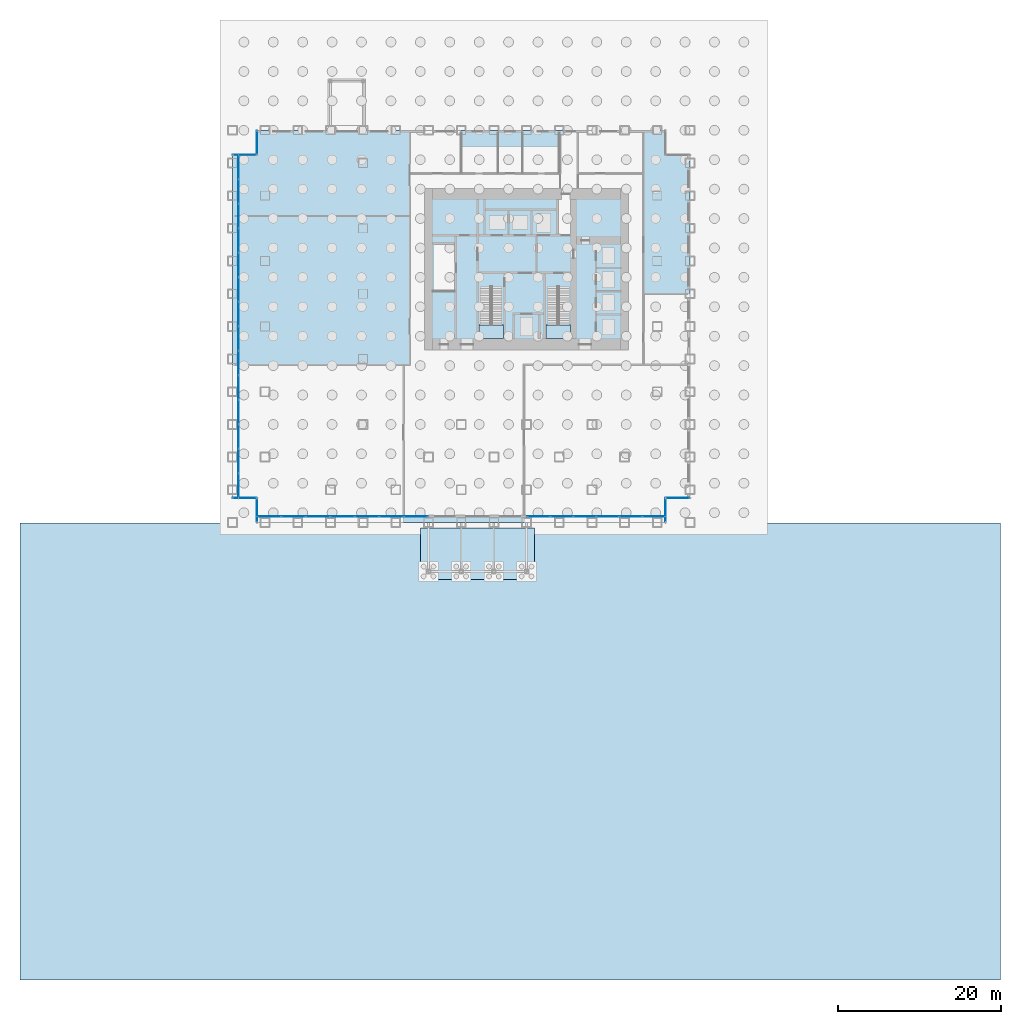
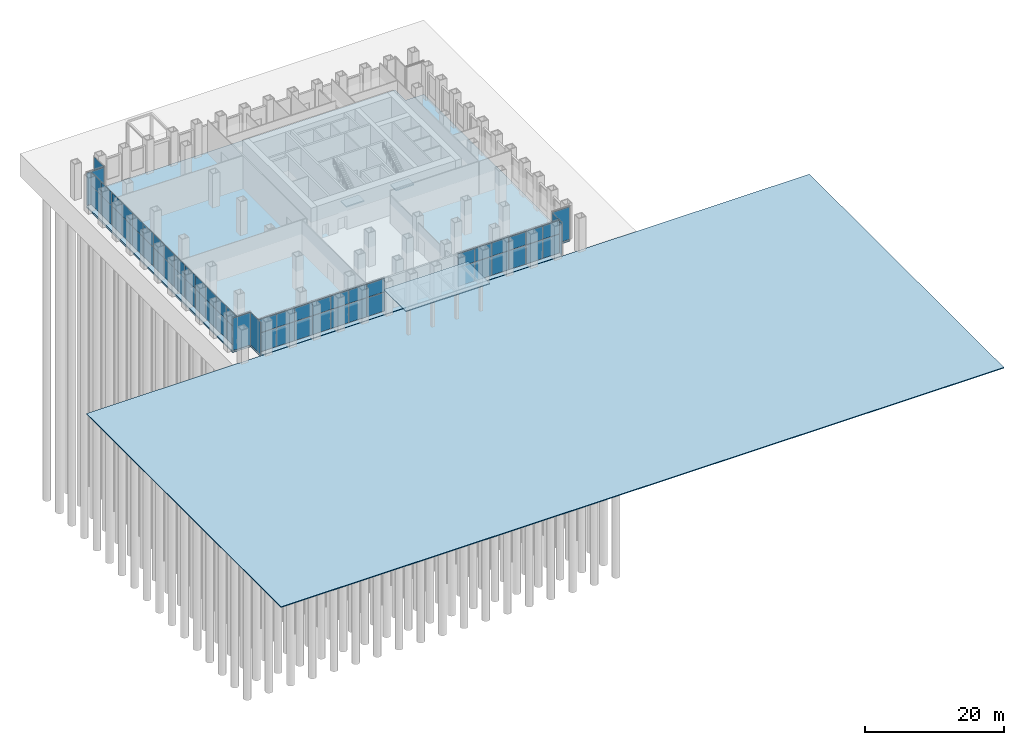
# One storey, part 11 of 17: 60 plates, 5 slabs, 11 elements without a shape of their own.
"""IFC4 building model written with IfcOpenShell, lengths in metres."""

from ifc_helpers import new_model, si_unit, direction, frame, origin, origin_2d, place, context, subcontext, project, spatial, polyline, rectangle, outline, extrude, material, layer, layer_set, type_object, element, aggregate, save


model = new_model("IFC4")

# Units and contexts
model_context = context("Model", 3, precision=1e-05, world=origin(), true_north=direction((0.0, 1.0)))
body_context = subcontext(model_context, "Body", "Model", "MODEL_VIEW")
ifc_project = project(units=[si_unit("LENGTHUNIT", "METRE"), si_unit("AREAUNIT", "SQUARE_METRE"), si_unit("VOLUMEUNIT", "CUBIC_METRE"), si_unit("PLANEANGLEUNIT", "RADIAN"), si_unit("MASSUNIT", "GRAM", prefix="KILO")], contexts=[model_context])

# Site, building, storey
site_placement = place(None, origin())
site = spatial("IfcSite", under=ifc_project, at=site_placement, CompositionType="ELEMENT")
building_placement = place(site_placement, origin())
building = spatial("IfcBuilding", under=site, at=building_placement, Name="Rimbunsela Tower", CompositionType="ELEMENT")
storey_placement = place(building_placement, origin())
storey = spatial("IfcBuildingStorey", under=building, at=storey_placement, Name="L00", CompositionType="ELEMENT", Elevation=0.0)

# Slab
ifc_material_1 = material(Name="Concrete fc' 35 MPa", Category="concrete")
ifc_layer_1 = layer(ifc_material_1, 0.14990234375)
ifc_layer_set_1 = layer_set([ifc_layer_1], Name="Canopy roof 150")
slab_type_1 = type_object("IfcSlabType", Name="Canopy roof 150", PredefinedType="ROOF", material=ifc_layer_set_1)
slab_1_placement = place(storey_placement, frame((0.0, 0.0, 4.85009765625)))
element("IfcSlab", 1, at=slab_1_placement, inside=storey, type_object=slab_type_1, Name="Entrance canopy", PredefinedType="ROOF", context=body_context, shape_type="SweptSolid", body=[
    extrude(outline(polyline([(17.0, -11.0), (31.0, -11.0), (31.0, -4.64990234375), (17.0, -4.64990234375), (17.0, -11.0)])), origin(), (0.0, 0.0, 1.0), 0.14990234375),
])

# Curtain wall, plate
ifc_material_2 = material(Name="Aluminium curtain wall", Category="aluminium")
curtain_wall_type_1 = type_object("IfcCurtainWallType", Name="Corner glazing", PredefinedType="USERDEFINED", material=ifc_material_2)
curtain_wall_1_placement = place(storey_placement, origin())
curtain_wall_1 = element("IfcCurtainWall", 2, at=curtain_wall_1_placement, inside=storey, type_object=curtain_wall_type_1, Name="Corner glazing L00", ObjectType="CORNER GLAZING", PredefinedType="USERDEFINED")
ifc_material_3 = material(Name="Clear double glazing", Category="glass")
ifc_layer_2 = layer(ifc_material_3, 0.028076171875)
ifc_layer_set_2 = layer_set([ifc_layer_2], Name="Glazed panel clear")
plate_type_1 = type_object("IfcPlateType", Name="Glazed panel clear", PredefinedType="CURTAIN_PANEL", material=ifc_layer_set_2)
plate_1_placement = place(storey_placement, frame((47.0, -2.5, 0.06005859375), z_axis=(0.0, 0.0, 1.0), x_axis=(0.0, 1.0, 0.0)))
plate_1 = element("IfcPlate", 3, at=plate_1_placement, type_object=plate_type_1, Name="CW5 panel 1.1", PredefinedType="CURTAIN_PANEL", context=body_context, shape_type="SweptSolid", body=[
    extrude(rectangle(XDim=2.8798828125, YDim=0.028076171875, at=origin_2d()), origin(), (0.0, 0.0, 1.0), 5.72998046875),
])
aggregate(curtain_wall_1, [plate_1])

curtain_wall_2_placement = place(storey_placement, origin())
curtain_wall_2 = element("IfcCurtainWall", 4, at=curtain_wall_2_placement, inside=storey, type_object=curtain_wall_type_1, Name="Corner glazing L00", ObjectType="CORNER GLAZING", PredefinedType="USERDEFINED")
plate_2_placement = place(storey_placement, frame((48.5, -1.0, 0.06005859375), z_axis=(0.0, 0.0, 1.0), x_axis=(1.0, 0.0, 0.0)))
plate_2 = element("IfcPlate", 5, at=plate_2_placement, type_object=plate_type_1, Name="CW5 panel 1.1", PredefinedType="CURTAIN_PANEL", context=body_context, shape_type="SweptSolid", body=[
    extrude(rectangle(XDim=2.8798828125, YDim=0.028076171875, at=origin_2d()), origin(), (0.0, 0.0, 1.0), 5.72998046875),
])
aggregate(curtain_wall_2, [plate_2])

curtain_wall_3_placement = place(storey_placement, origin())
curtain_wall_3 = element("IfcCurtainWall", 6, at=curtain_wall_3_placement, inside=storey, type_object=curtain_wall_type_1, Name="Corner glazing L00", ObjectType="CORNER GLAZING", PredefinedType="USERDEFINED")
plate_3_placement = place(storey_placement, frame((-3.0, 42.5, 0.06005859375), z_axis=(0.0, 0.0, 1.0), x_axis=(0.0, -1.0, 0.0)))
plate_3 = element("IfcPlate", 7, at=plate_3_placement, type_object=plate_type_1, Name="CW5 panel 1.1", PredefinedType="CURTAIN_PANEL", context=body_context, shape_type="SweptSolid", body=[
    extrude(rectangle(XDim=2.8798828125, YDim=0.028076171875, at=origin_2d()), origin(), (0.0, 0.0, 1.0), 5.72998046875),
])
aggregate(curtain_wall_3, [plate_3])

curtain_wall_4_placement = place(storey_placement, origin())
curtain_wall_4 = element("IfcCurtainWall", 8, at=curtain_wall_4_placement, inside=storey, type_object=curtain_wall_type_1, Name="Corner glazing L00", ObjectType="CORNER GLAZING", PredefinedType="USERDEFINED")
plate_4_placement = place(storey_placement, frame((-4.5, 41.0, 0.06005859375), z_axis=(0.0, 0.0, 1.0), x_axis=(-1.0, 0.0, 0.0)))
plate_4 = element("IfcPlate", 9, at=plate_4_placement, type_object=plate_type_1, Name="CW5 panel 1.1", PredefinedType="CURTAIN_PANEL", context=body_context, shape_type="SweptSolid", body=[
    extrude(rectangle(XDim=2.8798828125, YDim=0.028076171875, at=origin_2d()), origin(), (0.0, 0.0, 1.0), 5.72998046875),
])
aggregate(curtain_wall_4, [plate_4])

curtain_wall_5_placement = place(storey_placement, origin())
curtain_wall_5 = element("IfcCurtainWall", 10, at=curtain_wall_5_placement, inside=storey, type_object=curtain_wall_type_1, Name="Corner glazing L00", ObjectType="CORNER GLAZING", PredefinedType="USERDEFINED")
plate_5_placement = place(storey_placement, frame((-4.5, -1.0, 0.06005859375), z_axis=(0.0, 0.0, 1.0), x_axis=(1.0, 0.0, 0.0)))
plate_5 = element("IfcPlate", 11, at=plate_5_placement, type_object=plate_type_1, Name="CW5 panel 1.1", PredefinedType="CURTAIN_PANEL", context=body_context, shape_type="SweptSolid", body=[
    extrude(rectangle(XDim=2.8798828125, YDim=0.028076171875, at=origin_2d()), origin(), (0.0, 0.0, 1.0), 5.72998046875),
])
aggregate(curtain_wall_5, [plate_5])

curtain_wall_6_placement = place(storey_placement, origin())
curtain_wall_6 = element("IfcCurtainWall", 12, at=curtain_wall_6_placement, inside=storey, type_object=curtain_wall_type_1, Name="Corner glazing L00", ObjectType="CORNER GLAZING", PredefinedType="USERDEFINED")
plate_6_placement = place(storey_placement, frame((-3.0, -2.5, 0.06005859375), z_axis=(0.0, 0.0, 1.0), x_axis=(0.0, -1.0, 0.0)))
plate_6 = element("IfcPlate", 13, at=plate_6_placement, type_object=plate_type_1, Name="CW5 panel 1.1", PredefinedType="CURTAIN_PANEL", context=body_context, shape_type="SweptSolid", body=[
    extrude(rectangle(XDim=2.8798828125, YDim=0.028076171875, at=origin_2d()), origin(), (0.0, 0.0, 1.0), 5.72998046875),
])
aggregate(curtain_wall_6, [plate_6])

# Curtain wall, plates
ifc_material_4 = material(Name="Aluminium curtain wall", Category="aluminium")
curtain_wall_type_2 = type_object("IfcCurtainWallType", Name="Podium glazing", PredefinedType="USERDEFINED", material=ifc_material_4)
curtain_wall_7_placement = place(storey_placement, origin())
curtain_wall_7 = element("IfcCurtainWall", 14, at=curtain_wall_7_placement, inside=storey, type_object=curtain_wall_type_2, Name="Podium glazing L00", ObjectType="PODIUM GLAZING", PredefinedType="USERDEFINED")
ifc_material_5 = material(Name="Laminated double glazing", Category="glass")
ifc_layer_3 = layer(ifc_material_5, 0.0400390625)
ifc_layer_set_3 = layer_set([ifc_layer_3], Name="Glazed panel laminated 40")
plate_type_2 = type_object("IfcPlateType", Name="Glazed panel laminated 40", PredefinedType="CURTAIN_PANEL", material=ifc_layer_set_3)
plate_7_placement = place(storey_placement, frame((-1.488525390625, -3.25, 0.06005859375), z_axis=(0.0, 0.0, 1.0), x_axis=(1.0, 0.0, 0.0)))
plate_7 = element("IfcPlate", 15, at=plate_7_placement, type_object=plate_type_2, Name="CW1 panel 1.1", PredefinedType="CURTAIN_PANEL", context=body_context, shape_type="SweptSolid", body=[
    extrude(rectangle(XDim=2.90283203125, YDim=0.0400390625, at=origin_2d()), origin(), (0.0, 0.0, 1.0), 3.31005859375),
])
plate_8_placement = place(storey_placement, frame((-1.488525390625, -3.25, 3.43017578125), z_axis=(0.0, 0.0, 1.0), x_axis=(1.0, 0.0, 0.0)))
plate_8 = element("IfcPlate", 16, at=plate_8_placement, type_object=plate_type_2, Name="CW1 panel 1.2", PredefinedType="CURTAIN_PANEL", context=body_context, shape_type="SweptSolid", body=[
    extrude(rectangle(XDim=2.90283203125, YDim=0.0400390625, at=origin_2d()), origin(), (0.0, 0.0, 1.0), 2.360107421875),
])
plate_9_placement = place(storey_placement, frame((1.4892578125, -3.25, 0.06005859375), z_axis=(0.0, 0.0, 1.0), x_axis=(1.0, 0.0, 0.0)))
plate_9 = element("IfcPlate", 17, at=plate_9_placement, type_object=plate_type_2, Name="CW1 panel 2.1", PredefinedType="CURTAIN_PANEL", context=body_context, shape_type="SweptSolid", body=[
    extrude(rectangle(XDim=2.932861328125, YDim=0.0400390625, at=origin_2d()), origin(), (0.0, 0.0, 1.0), 3.31005859375),
])
plate_10_placement = place(storey_placement, frame((1.4892578125, -3.25, 3.43017578125), z_axis=(0.0, 0.0, 1.0), x_axis=(1.0, 0.0, 0.0)))
plate_10 = element("IfcPlate", 18, at=plate_10_placement, type_object=plate_type_2, Name="CW1 panel 2.2", PredefinedType="CURTAIN_PANEL", context=body_context, shape_type="SweptSolid", body=[
    extrude(rectangle(XDim=2.932861328125, YDim=0.0400390625, at=origin_2d()), origin(), (0.0, 0.0, 1.0), 2.360107421875),
])
plate_11_placement = place(storey_placement, frame((4.482177734375, -3.25, 0.06005859375), z_axis=(0.0, 0.0, 1.0), x_axis=(1.0, 0.0, 0.0)))
plate_11 = element("IfcPlate", 19, at=plate_11_placement, type_object=plate_type_2, Name="CW1 panel 3.1", PredefinedType="CURTAIN_PANEL", context=body_context, shape_type="SweptSolid", body=[
    extrude(rectangle(XDim=2.932861328125, YDim=0.0400390625, at=origin_2d()), origin(), (0.0, 0.0, 1.0), 3.31005859375),
])
plate_12_placement = place(storey_placement, frame((4.482177734375, -3.25, 3.43017578125), z_axis=(0.0, 0.0, 1.0), x_axis=(1.0, 0.0, 0.0)))
plate_12 = element("IfcPlate", 20, at=plate_12_placement, type_object=plate_type_2, Name="CW1 panel 3.2", PredefinedType="CURTAIN_PANEL", context=body_context, shape_type="SweptSolid", body=[
    extrude(rectangle(XDim=2.932861328125, YDim=0.0400390625, at=origin_2d()), origin(), (0.0, 0.0, 1.0), 2.360107421875),
])
plate_13_placement = place(storey_placement, frame((7.47509765625, -3.25, 0.06005859375), z_axis=(0.0, 0.0, 1.0), x_axis=(1.0, 0.0, 0.0)))
plate_13 = element("IfcPlate", 21, at=plate_13_placement, type_object=plate_type_2, Name="CW1 panel 4.1", PredefinedType="CURTAIN_PANEL", context=body_context, shape_type="SweptSolid", body=[
    extrude(rectangle(XDim=2.932861328125, YDim=0.0400390625, at=origin_2d()), origin(), (0.0, 0.0, 1.0), 3.31005859375),
])
plate_14_placement = place(storey_placement, frame((7.47509765625, -3.25, 3.43017578125), z_axis=(0.0, 0.0, 1.0), x_axis=(1.0, 0.0, 0.0)))
plate_14 = element("IfcPlate", 22, at=plate_14_placement, type_object=plate_type_2, Name="CW1 panel 4.2", PredefinedType="CURTAIN_PANEL", context=body_context, shape_type="SweptSolid", body=[
    extrude(rectangle(XDim=2.932861328125, YDim=0.0400390625, at=origin_2d()), origin(), (0.0, 0.0, 1.0), 2.360107421875),
])
plate_15_placement = place(storey_placement, frame((10.4677734375, -3.25, 0.06005859375), z_axis=(0.0, 0.0, 1.0), x_axis=(1.0, 0.0, 0.0)))
plate_15 = element("IfcPlate", 23, at=plate_15_placement, type_object=plate_type_2, Name="CW1 panel 5.1", PredefinedType="CURTAIN_PANEL", context=body_context, shape_type="SweptSolid", body=[
    extrude(rectangle(XDim=2.932861328125, YDim=0.0400390625, at=origin_2d()), origin(), (0.0, 0.0, 1.0), 3.31005859375),
])
plate_16_placement = place(storey_placement, frame((10.4677734375, -3.25, 3.43017578125), z_axis=(0.0, 0.0, 1.0), x_axis=(1.0, 0.0, 0.0)))
plate_16 = element("IfcPlate", 24, at=plate_16_placement, type_object=plate_type_2, Name="CW1 panel 5.2", PredefinedType="CURTAIN_PANEL", context=body_context, shape_type="SweptSolid", body=[
    extrude(rectangle(XDim=2.932861328125, YDim=0.0400390625, at=origin_2d()), origin(), (0.0, 0.0, 1.0), 2.360107421875),
])
plate_17_placement = place(storey_placement, frame((13.460693359375, -3.25, 0.06005859375), z_axis=(0.0, 0.0, 1.0), x_axis=(1.0, 0.0, 0.0)))
plate_17 = element("IfcPlate", 25, at=plate_17_placement, type_object=plate_type_2, Name="CW1 panel 6.1", PredefinedType="CURTAIN_PANEL", context=body_context, shape_type="SweptSolid", body=[
    extrude(rectangle(XDim=2.932861328125, YDim=0.0400390625, at=origin_2d()), origin(), (0.0, 0.0, 1.0), 3.31005859375),
])
plate_18_placement = place(storey_placement, frame((13.460693359375, -3.25, 3.43017578125), z_axis=(0.0, 0.0, 1.0), x_axis=(1.0, 0.0, 0.0)))
plate_18 = element("IfcPlate", 26, at=plate_18_placement, type_object=plate_type_2, Name="CW1 panel 6.2", PredefinedType="CURTAIN_PANEL", context=body_context, shape_type="SweptSolid", body=[
    extrude(rectangle(XDim=2.932861328125, YDim=0.0400390625, at=origin_2d()), origin(), (0.0, 0.0, 1.0), 2.360107421875),
])
plate_19_placement = place(storey_placement, frame((16.4384765625, -3.25, 0.06005859375), z_axis=(0.0, 0.0, 1.0), x_axis=(1.0, 0.0, 0.0)))
plate_19 = element("IfcPlate", 27, at=plate_19_placement, type_object=plate_type_2, Name="CW1 panel 7.1", PredefinedType="CURTAIN_PANEL", context=body_context, shape_type="SweptSolid", body=[
    extrude(rectangle(XDim=2.90283203125, YDim=0.0400390625, at=origin_2d()), origin(), (0.0, 0.0, 1.0), 3.31005859375),
])
plate_20_placement = place(storey_placement, frame((16.4384765625, -3.25, 3.43017578125), z_axis=(0.0, 0.0, 1.0), x_axis=(1.0, 0.0, 0.0)))
plate_20 = element("IfcPlate", 28, at=plate_20_placement, type_object=plate_type_2, Name="CW1 panel 7.2", PredefinedType="CURTAIN_PANEL", context=body_context, shape_type="SweptSolid", body=[
    extrude(rectangle(XDim=2.90283203125, YDim=0.0400390625, at=origin_2d()), origin(), (0.0, 0.0, 1.0), 2.360107421875),
])
aggregate(curtain_wall_7, [plate_7, plate_8, plate_9, plate_10, plate_11, plate_12, plate_13, plate_14, plate_15, plate_16, plate_17, plate_18, plate_19, plate_20])

curtain_wall_8_placement = place(storey_placement, origin())
curtain_wall_8 = element("IfcCurtainWall", 29, at=curtain_wall_8_placement, inside=storey, type_object=curtain_wall_type_2, Name="Podium glazing L00", ObjectType="PODIUM GLAZING", PredefinedType="USERDEFINED")
plate_21_placement = place(storey_placement, frame((31.4775390625, -3.25, 0.06005859375), z_axis=(0.0, 0.0, 1.0), x_axis=(1.0, 0.0, 0.0)))
plate_21 = element("IfcPlate", 30, at=plate_21_placement, type_object=plate_type_2, Name="CW1 panel 1.1", PredefinedType="CURTAIN_PANEL", context=body_context, shape_type="SweptSolid", body=[
    extrude(rectangle(XDim=2.735107421875, YDim=0.0400390625, at=origin_2d()), origin(), (0.0, 0.0, 1.0), 3.31005859375),
])
plate_22_placement = place(storey_placement, frame((31.4775390625, -3.25, 3.43017578125), z_axis=(0.0, 0.0, 1.0), x_axis=(1.0, 0.0, 0.0)))
plate_22 = element("IfcPlate", 31, at=plate_22_placement, type_object=plate_type_2, Name="CW1 panel 1.2", PredefinedType="CURTAIN_PANEL", context=body_context, shape_type="SweptSolid", body=[
    extrude(rectangle(XDim=2.735107421875, YDim=0.0400390625, at=origin_2d()), origin(), (0.0, 0.0, 1.0), 2.360107421875),
])
plate_23_placement = place(storey_placement, frame((34.28759765625, -3.25, 0.06005859375), z_axis=(0.0, 0.0, 1.0), x_axis=(1.0, 0.0, 0.0)))
plate_23 = element("IfcPlate", 32, at=plate_23_placement, type_object=plate_type_2, Name="CW1 panel 2.1", PredefinedType="CURTAIN_PANEL", context=body_context, shape_type="SweptSolid", body=[
    extrude(rectangle(XDim=2.764892578125, YDim=0.0400390625, at=origin_2d()), origin(), (0.0, 0.0, 1.0), 3.31005859375),
])
plate_24_placement = place(storey_placement, frame((34.28759765625, -3.25, 3.43017578125), z_axis=(0.0, 0.0, 1.0), x_axis=(1.0, 0.0, 0.0)))
plate_24 = element("IfcPlate", 33, at=plate_24_placement, type_object=plate_type_2, Name="CW1 panel 2.2", PredefinedType="CURTAIN_PANEL", context=body_context, shape_type="SweptSolid", body=[
    extrude(rectangle(XDim=2.764892578125, YDim=0.0400390625, at=origin_2d()), origin(), (0.0, 0.0, 1.0), 2.360107421875),
])
plate_25_placement = place(storey_placement, frame((37.112548828125, -3.25, 0.06005859375), z_axis=(0.0, 0.0, 1.0), x_axis=(1.0, 0.0, 0.0)))
plate_25 = element("IfcPlate", 34, at=plate_25_placement, type_object=plate_type_2, Name="CW1 panel 3.1", PredefinedType="CURTAIN_PANEL", context=body_context, shape_type="SweptSolid", body=[
    extrude(rectangle(XDim=2.764892578125, YDim=0.0400390625, at=origin_2d()), origin(), (0.0, 0.0, 1.0), 3.31005859375),
])
plate_26_placement = place(storey_placement, frame((37.112548828125, -3.25, 3.43017578125), z_axis=(0.0, 0.0, 1.0), x_axis=(1.0, 0.0, 0.0)))
plate_26 = element("IfcPlate", 35, at=plate_26_placement, type_object=plate_type_2, Name="CW1 panel 3.2", PredefinedType="CURTAIN_PANEL", context=body_context, shape_type="SweptSolid", body=[
    extrude(rectangle(XDim=2.764892578125, YDim=0.0400390625, at=origin_2d()), origin(), (0.0, 0.0, 1.0), 2.360107421875),
])
plate_27_placement = place(storey_placement, frame((39.9375, -3.25, 0.06005859375), z_axis=(0.0, 0.0, 1.0), x_axis=(1.0, 0.0, 0.0)))
plate_27 = element("IfcPlate", 36, at=plate_27_placement, type_object=plate_type_2, Name="CW1 panel 4.1", PredefinedType="CURTAIN_PANEL", context=body_context, shape_type="SweptSolid", body=[
    extrude(rectangle(XDim=2.764892578125, YDim=0.0400390625, at=origin_2d()), origin(), (0.0, 0.0, 1.0), 3.31005859375),
])
plate_28_placement = place(storey_placement, frame((39.9375, -3.25, 3.43017578125), z_axis=(0.0, 0.0, 1.0), x_axis=(1.0, 0.0, 0.0)))
plate_28 = element("IfcPlate", 37, at=plate_28_placement, type_object=plate_type_2, Name="CW1 panel 4.2", PredefinedType="CURTAIN_PANEL", context=body_context, shape_type="SweptSolid", body=[
    extrude(rectangle(XDim=2.764892578125, YDim=0.0400390625, at=origin_2d()), origin(), (0.0, 0.0, 1.0), 2.360107421875),
])
plate_29_placement = place(storey_placement, frame((42.762451171875, -3.25, 0.06005859375), z_axis=(0.0, 0.0, 1.0), x_axis=(1.0, 0.0, 0.0)))
plate_29 = element("IfcPlate", 38, at=plate_29_placement, type_object=plate_type_2, Name="CW1 panel 5.1", PredefinedType="CURTAIN_PANEL", context=body_context, shape_type="SweptSolid", body=[
    extrude(rectangle(XDim=2.764892578125, YDim=0.0400390625, at=origin_2d()), origin(), (0.0, 0.0, 1.0), 3.31005859375),
])
plate_30_placement = place(storey_placement, frame((42.762451171875, -3.25, 3.43017578125), z_axis=(0.0, 0.0, 1.0), x_axis=(1.0, 0.0, 0.0)))
plate_30 = element("IfcPlate", 39, at=plate_30_placement, type_object=plate_type_2, Name="CW1 panel 5.2", PredefinedType="CURTAIN_PANEL", context=body_context, shape_type="SweptSolid", body=[
    extrude(rectangle(XDim=2.764892578125, YDim=0.0400390625, at=origin_2d()), origin(), (0.0, 0.0, 1.0), 2.360107421875),
])
plate_31_placement = place(storey_placement, frame((45.572509765625, -3.25, 0.06005859375), z_axis=(0.0, 0.0, 1.0), x_axis=(1.0, 0.0, 0.0)))
plate_31 = element("IfcPlate", 40, at=plate_31_placement, type_object=plate_type_2, Name="CW1 panel 6.1", PredefinedType="CURTAIN_PANEL", context=body_context, shape_type="SweptSolid", body=[
    extrude(rectangle(XDim=2.735107421875, YDim=0.0400390625, at=origin_2d()), origin(), (0.0, 0.0, 1.0), 3.31005859375),
])
plate_32_placement = place(storey_placement, frame((45.572509765625, -3.25, 3.43017578125), z_axis=(0.0, 0.0, 1.0), x_axis=(1.0, 0.0, 0.0)))
plate_32 = element("IfcPlate", 41, at=plate_32_placement, type_object=plate_type_2, Name="CW1 panel 6.2", PredefinedType="CURTAIN_PANEL", context=body_context, shape_type="SweptSolid", body=[
    extrude(rectangle(XDim=2.735107421875, YDim=0.0400390625, at=origin_2d()), origin(), (0.0, 0.0, 1.0), 2.360107421875),
])
aggregate(curtain_wall_8, [plate_21, plate_22, plate_23, plate_24, plate_25, plate_26, plate_27, plate_28, plate_29, plate_30, plate_31, plate_32])

curtain_wall_9_placement = place(storey_placement, origin())
curtain_wall_9 = element("IfcCurtainWall", 42, at=curtain_wall_9_placement, inside=storey, type_object=curtain_wall_type_2, Name="Podium glazing L00", ObjectType="PODIUM GLAZING", PredefinedType="USERDEFINED")
plate_33_placement = place(storey_placement, frame((-5.25, 39.485107421875, 0.06005859375), z_axis=(0.0, 0.0, 1.0), x_axis=(0.0, -1.0, 0.0)))
plate_33 = element("IfcPlate", 43, at=plate_33_placement, type_object=plate_type_2, Name="CW1 panel 1.1", PredefinedType="CURTAIN_PANEL", context=body_context, shape_type="SweptSolid", body=[
    extrude(rectangle(XDim=2.909912109375, YDim=0.0400390625, at=origin_2d()), origin(), (0.0, 0.0, 1.0), 3.31005859375),
])
plate_34_placement = place(storey_placement, frame((-5.25, 39.485107421875, 3.43017578125), z_axis=(0.0, 0.0, 1.0), x_axis=(0.0, -1.0, 0.0)))
plate_34 = element("IfcPlate", 44, at=plate_34_placement, type_object=plate_type_2, Name="CW1 panel 1.2", PredefinedType="CURTAIN_PANEL", context=body_context, shape_type="SweptSolid", body=[
    extrude(rectangle(XDim=2.909912109375, YDim=0.0400390625, at=origin_2d()), origin(), (0.0, 0.0, 1.0), 2.360107421875),
])
plate_35_placement = place(storey_placement, frame((-5.25, 36.5, 0.06005859375), z_axis=(0.0, 0.0, 1.0), x_axis=(0.0, -1.0, 0.0)))
plate_35 = element("IfcPlate", 45, at=plate_35_placement, type_object=plate_type_2, Name="CW1 panel 2.1", PredefinedType="CURTAIN_PANEL", context=body_context, shape_type="SweptSolid", body=[
    extrude(rectangle(XDim=2.93994140625, YDim=0.0400390625, at=origin_2d()), origin(), (0.0, 0.0, 1.0), 3.31005859375),
])
plate_36_placement = place(storey_placement, frame((-5.25, 36.5, 3.43017578125), z_axis=(0.0, 0.0, 1.0), x_axis=(0.0, -1.0, 0.0)))
plate_36 = element("IfcPlate", 46, at=plate_36_placement, type_object=plate_type_2, Name="CW1 panel 2.2", PredefinedType="CURTAIN_PANEL", context=body_context, shape_type="SweptSolid", body=[
    extrude(rectangle(XDim=2.93994140625, YDim=0.0400390625, at=origin_2d()), origin(), (0.0, 0.0, 1.0), 2.360107421875),
])
plate_37_placement = place(storey_placement, frame((-5.25, 33.5, 0.06005859375), z_axis=(0.0, 0.0, 1.0), x_axis=(0.0, -1.0, 0.0)))
plate_37 = element("IfcPlate", 47, at=plate_37_placement, type_object=plate_type_2, Name="CW1 panel 3.1", PredefinedType="CURTAIN_PANEL", context=body_context, shape_type="SweptSolid", body=[
    extrude(rectangle(XDim=2.93994140625, YDim=0.0400390625, at=origin_2d()), origin(), (0.0, 0.0, 1.0), 3.31005859375),
])
plate_38_placement = place(storey_placement, frame((-5.25, 33.5, 3.43017578125), z_axis=(0.0, 0.0, 1.0), x_axis=(0.0, -1.0, 0.0)))
plate_38 = element("IfcPlate", 48, at=plate_38_placement, type_object=plate_type_2, Name="CW1 panel 3.2", PredefinedType="CURTAIN_PANEL", context=body_context, shape_type="SweptSolid", body=[
    extrude(rectangle(XDim=2.93994140625, YDim=0.0400390625, at=origin_2d()), origin(), (0.0, 0.0, 1.0), 2.360107421875),
])
plate_39_placement = place(storey_placement, frame((-5.25, 30.5, 0.06005859375), z_axis=(0.0, 0.0, 1.0), x_axis=(0.0, -1.0, 0.0)))
plate_39 = element("IfcPlate", 49, at=plate_39_placement, type_object=plate_type_2, Name="CW1 panel 4.1", PredefinedType="CURTAIN_PANEL", context=body_context, shape_type="SweptSolid", body=[
    extrude(rectangle(XDim=2.93994140625, YDim=0.0400390625, at=origin_2d()), origin(), (0.0, 0.0, 1.0), 3.31005859375),
])
plate_40_placement = place(storey_placement, frame((-5.25, 30.5, 3.43017578125), z_axis=(0.0, 0.0, 1.0), x_axis=(0.0, -1.0, 0.0)))
plate_40 = element("IfcPlate", 50, at=plate_40_placement, type_object=plate_type_2, Name="CW1 panel 4.2", PredefinedType="CURTAIN_PANEL", context=body_context, shape_type="SweptSolid", body=[
    extrude(rectangle(XDim=2.93994140625, YDim=0.0400390625, at=origin_2d()), origin(), (0.0, 0.0, 1.0), 2.360107421875),
])
plate_41_placement = place(storey_placement, frame((-5.25, 27.5, 0.06005859375), z_axis=(0.0, 0.0, 1.0), x_axis=(0.0, -1.0, 0.0)))
plate_41 = element("IfcPlate", 51, at=plate_41_placement, type_object=plate_type_2, Name="CW1 panel 5.1", PredefinedType="CURTAIN_PANEL", context=body_context, shape_type="SweptSolid", body=[
    extrude(rectangle(XDim=2.93994140625, YDim=0.0400390625, at=origin_2d()), origin(), (0.0, 0.0, 1.0), 3.31005859375),
])
plate_42_placement = place(storey_placement, frame((-5.25, 27.5, 3.43017578125), z_axis=(0.0, 0.0, 1.0), x_axis=(0.0, -1.0, 0.0)))
plate_42 = element("IfcPlate", 52, at=plate_42_placement, type_object=plate_type_2, Name="CW1 panel 5.2", PredefinedType="CURTAIN_PANEL", context=body_context, shape_type="SweptSolid", body=[
    extrude(rectangle(XDim=2.93994140625, YDim=0.0400390625, at=origin_2d()), origin(), (0.0, 0.0, 1.0), 2.360107421875),
])
plate_43_placement = place(storey_placement, frame((-5.25, 24.5, 0.06005859375), z_axis=(0.0, 0.0, 1.0), x_axis=(0.0, -1.0, 0.0)))
plate_43 = element("IfcPlate", 53, at=plate_43_placement, type_object=plate_type_2, Name="CW1 panel 6.1", PredefinedType="CURTAIN_PANEL", context=body_context, shape_type="SweptSolid", body=[
    extrude(rectangle(XDim=2.93994140625, YDim=0.0400390625, at=origin_2d()), origin(), (0.0, 0.0, 1.0), 3.31005859375),
])
plate_44_placement = place(storey_placement, frame((-5.25, 24.5, 3.43017578125), z_axis=(0.0, 0.0, 1.0), x_axis=(0.0, -1.0, 0.0)))
plate_44 = element("IfcPlate", 54, at=plate_44_placement, type_object=plate_type_2, Name="CW1 panel 6.2", PredefinedType="CURTAIN_PANEL", context=body_context, shape_type="SweptSolid", body=[
    extrude(rectangle(XDim=2.93994140625, YDim=0.0400390625, at=origin_2d()), origin(), (0.0, 0.0, 1.0), 2.360107421875),
])
plate_45_placement = place(storey_placement, frame((-5.25, 21.5, 0.06005859375), z_axis=(0.0, 0.0, 1.0), x_axis=(0.0, -1.0, 0.0)))
plate_45 = element("IfcPlate", 55, at=plate_45_placement, type_object=plate_type_2, Name="CW1 panel 7.1", PredefinedType="CURTAIN_PANEL", context=body_context, shape_type="SweptSolid", body=[
    extrude(rectangle(XDim=2.93994140625, YDim=0.0400390625, at=origin_2d()), origin(), (0.0, 0.0, 1.0), 3.31005859375),
])
plate_46_placement = place(storey_placement, frame((-5.25, 21.5, 3.43017578125), z_axis=(0.0, 0.0, 1.0), x_axis=(0.0, -1.0, 0.0)))
plate_46 = element("IfcPlate", 56, at=plate_46_placement, type_object=plate_type_2, Name="CW1 panel 7.2", PredefinedType="CURTAIN_PANEL", context=body_context, shape_type="SweptSolid", body=[
    extrude(rectangle(XDim=2.93994140625, YDim=0.0400390625, at=origin_2d()), origin(), (0.0, 0.0, 1.0), 2.360107421875),
])
plate_47_placement = place(storey_placement, frame((-5.25, 18.5, 0.06005859375), z_axis=(0.0, 0.0, 1.0), x_axis=(0.0, -1.0, 0.0)))
plate_47 = element("IfcPlate", 57, at=plate_47_placement, type_object=plate_type_2, Name="CW1 panel 8.1", PredefinedType="CURTAIN_PANEL", context=body_context, shape_type="SweptSolid", body=[
    extrude(rectangle(XDim=2.93994140625, YDim=0.0400390625, at=origin_2d()), origin(), (0.0, 0.0, 1.0), 3.31005859375),
])
plate_48_placement = place(storey_placement, frame((-5.25, 18.5, 3.43017578125), z_axis=(0.0, 0.0, 1.0), x_axis=(0.0, -1.0, 0.0)))
plate_48 = element("IfcPlate", 58, at=plate_48_placement, type_object=plate_type_2, Name="CW1 panel 8.2", PredefinedType="CURTAIN_PANEL", context=body_context, shape_type="SweptSolid", body=[
    extrude(rectangle(XDim=2.93994140625, YDim=0.0400390625, at=origin_2d()), origin(), (0.0, 0.0, 1.0), 2.360107421875),
])
plate_49_placement = place(storey_placement, frame((-5.25, 15.5, 0.06005859375), z_axis=(0.0, 0.0, 1.0), x_axis=(0.0, -1.0, 0.0)))
plate_49 = element("IfcPlate", 59, at=plate_49_placement, type_object=plate_type_2, Name="CW1 panel 9.1", PredefinedType="CURTAIN_PANEL", context=body_context, shape_type="SweptSolid", body=[
    extrude(rectangle(XDim=2.93994140625, YDim=0.0400390625, at=origin_2d()), origin(), (0.0, 0.0, 1.0), 3.31005859375),
])
plate_50_placement = place(storey_placement, frame((-5.25, 15.5, 3.43017578125), z_axis=(0.0, 0.0, 1.0), x_axis=(0.0, -1.0, 0.0)))
plate_50 = element("IfcPlate", 60, at=plate_50_placement, type_object=plate_type_2, Name="CW1 panel 9.2", PredefinedType="CURTAIN_PANEL", context=body_context, shape_type="SweptSolid", body=[
    extrude(rectangle(XDim=2.93994140625, YDim=0.0400390625, at=origin_2d()), origin(), (0.0, 0.0, 1.0), 2.360107421875),
])
plate_51_placement = place(storey_placement, frame((-5.25, 12.5, 0.06005859375), z_axis=(0.0, 0.0, 1.0), x_axis=(0.0, -1.0, 0.0)))
plate_51 = element("IfcPlate", 61, at=plate_51_placement, type_object=plate_type_2, Name="CW1 panel 10.1", PredefinedType="CURTAIN_PANEL", context=body_context, shape_type="SweptSolid", body=[
    extrude(rectangle(XDim=2.93994140625, YDim=0.0400390625, at=origin_2d()), origin(), (0.0, 0.0, 1.0), 3.31005859375),
])
plate_52_placement = place(storey_placement, frame((-5.25, 12.5, 3.43017578125), z_axis=(0.0, 0.0, 1.0), x_axis=(0.0, -1.0, 0.0)))
plate_52 = element("IfcPlate", 62, at=plate_52_placement, type_object=plate_type_2, Name="CW1 panel 10.2", PredefinedType="CURTAIN_PANEL", context=body_context, shape_type="SweptSolid", body=[
    extrude(rectangle(XDim=2.93994140625, YDim=0.0400390625, at=origin_2d()), origin(), (0.0, 0.0, 1.0), 2.360107421875),
])
plate_53_placement = place(storey_placement, frame((-5.25, 9.5, 0.06005859375), z_axis=(0.0, 0.0, 1.0), x_axis=(0.0, -1.0, 0.0)))
plate_53 = element("IfcPlate", 63, at=plate_53_placement, type_object=plate_type_2, Name="CW1 panel 11.1", PredefinedType="CURTAIN_PANEL", context=body_context, shape_type="SweptSolid", body=[
    extrude(rectangle(XDim=2.93994140625, YDim=0.0400390625, at=origin_2d()), origin(), (0.0, 0.0, 1.0), 3.31005859375),
])
plate_54_placement = place(storey_placement, frame((-5.25, 9.5, 3.43017578125), z_axis=(0.0, 0.0, 1.0), x_axis=(0.0, -1.0, 0.0)))
plate_54 = element("IfcPlate", 64, at=plate_54_placement, type_object=plate_type_2, Name="CW1 panel 11.2", PredefinedType="CURTAIN_PANEL", context=body_context, shape_type="SweptSolid", body=[
    extrude(rectangle(XDim=2.93994140625, YDim=0.0400390625, at=origin_2d()), origin(), (0.0, 0.0, 1.0), 2.360107421875),
])
plate_55_placement = place(storey_placement, frame((-5.25, 6.5, 0.06005859375), z_axis=(0.0, 0.0, 1.0), x_axis=(0.0, -1.0, 0.0)))
plate_55 = element("IfcPlate", 65, at=plate_55_placement, type_object=plate_type_2, Name="CW1 panel 12.1", PredefinedType="CURTAIN_PANEL", context=body_context, shape_type="SweptSolid", body=[
    extrude(rectangle(XDim=2.93994140625, YDim=0.0400390625, at=origin_2d()), origin(), (0.0, 0.0, 1.0), 3.31005859375),
])
plate_56_placement = place(storey_placement, frame((-5.25, 6.5, 3.43017578125), z_axis=(0.0, 0.0, 1.0), x_axis=(0.0, -1.0, 0.0)))
plate_56 = element("IfcPlate", 66, at=plate_56_placement, type_object=plate_type_2, Name="CW1 panel 12.2", PredefinedType="CURTAIN_PANEL", context=body_context, shape_type="SweptSolid", body=[
    extrude(rectangle(XDim=2.93994140625, YDim=0.0400390625, at=origin_2d()), origin(), (0.0, 0.0, 1.0), 2.360107421875),
])
plate_57_placement = place(storey_placement, frame((-5.25, 3.5, 0.06005859375), z_axis=(0.0, 0.0, 1.0), x_axis=(0.0, -1.0, 0.0)))
plate_57 = element("IfcPlate", 67, at=plate_57_placement, type_object=plate_type_2, Name="CW1 panel 13.1", PredefinedType="CURTAIN_PANEL", context=body_context, shape_type="SweptSolid", body=[
    extrude(rectangle(XDim=2.93994140625, YDim=0.0400390625, at=origin_2d()), origin(), (0.0, 0.0, 1.0), 3.31005859375),
])
plate_58_placement = place(storey_placement, frame((-5.25, 3.5, 3.43017578125), z_axis=(0.0, 0.0, 1.0), x_axis=(0.0, -1.0, 0.0)))
plate_58 = element("IfcPlate", 68, at=plate_58_placement, type_object=plate_type_2, Name="CW1 panel 13.2", PredefinedType="CURTAIN_PANEL", context=body_context, shape_type="SweptSolid", body=[
    extrude(rectangle(XDim=2.93994140625, YDim=0.0400390625, at=origin_2d()), origin(), (0.0, 0.0, 1.0), 2.360107421875),
])
plate_59_placement = place(storey_placement, frame((-5.25, 0.514892578125, 0.06005859375), z_axis=(0.0, 0.0, 1.0), x_axis=(0.0, -1.0, 0.0)))
plate_59 = element("IfcPlate", 69, at=plate_59_placement, type_object=plate_type_2, Name="CW1 panel 14.1", PredefinedType="CURTAIN_PANEL", context=body_context, shape_type="SweptSolid", body=[
    extrude(rectangle(XDim=2.909912109375, YDim=0.0400390625, at=origin_2d()), origin(), (0.0, 0.0, 1.0), 3.31005859375),
])
plate_60_placement = place(storey_placement, frame((-5.25, 0.514892578125, 3.43017578125), z_axis=(0.0, 0.0, 1.0), x_axis=(0.0, -1.0, 0.0)))
plate_60 = element("IfcPlate", 70, at=plate_60_placement, type_object=plate_type_2, Name="CW1 panel 14.2", PredefinedType="CURTAIN_PANEL", context=body_context, shape_type="SweptSolid", body=[
    extrude(rectangle(XDim=2.909912109375, YDim=0.0400390625, at=origin_2d()), origin(), (0.0, 0.0, 1.0), 2.360107421875),
])
aggregate(curtain_wall_9, [plate_33, plate_34, plate_35, plate_36, plate_37, plate_38, plate_39, plate_40, plate_41, plate_42, plate_43, plate_44, plate_45, plate_46, plate_47, plate_48, plate_49, plate_50, plate_51, plate_52, plate_53, plate_54, plate_55, plate_56, plate_57, plate_58, plate_59, plate_60])

# Slabs
ifc_material_6 = material(Name="Concrete fc' 35 MPa", Category="concrete")
ifc_layer_4 = layer(ifc_material_6, 0.300048828125)
ifc_layer_set_4 = layer_set([ifc_layer_4], Name="Ground slab 300")
slab_type_2 = type_object("IfcSlabType", Name="Ground slab 300", PredefinedType="BASESLAB", material=ifc_layer_set_4)
slab_2_placement = place(storey_placement, frame((0.0, 0.0, -0.300048828125)))
element("IfcSlab", 71, at=slab_2_placement, inside=storey, type_object=slab_type_2, Name="Ground floor slab", PredefinedType="BASESLAB", context=body_context, shape_type="SweptSolid", body=[
    extrude(outline(polyline([(-3.0, -4.0), (47.0, -4.0), (47.0, -1.0), (50.0, -1.0), (50.0, 41.0), (47.0, 41.0), (47.0, 44.0), (-3.0, 44.0), (-3.0, 41.0), (-6.0, 41.0), (-6.0, -1.0), (-3.0, -1.0), (-3.0, -4.0)])), origin(), (0.0, 0.0, 1.0), 0.300048828125),
])
ifc_material_7 = material(Name="Granite paving on concrete", Category="masonry")
ifc_layer_5 = layer(ifc_material_7, 0.14990234375)
ifc_layer_set_5 = layer_set([ifc_layer_5], Name="Plaza paving 150")
slab_type_3 = type_object("IfcSlabType", Name="Plaza paving 150", PredefinedType="USERDEFINED", material=ifc_layer_set_5)
slab_3_placement = place(storey_placement, frame((0.0, 0.0, -0.14990234375)))
element("IfcSlab", 72, at=slab_3_placement, inside=storey, type_object=slab_type_3, Name="Public plaza paving", ObjectType="PAVING", PredefinedType="USERDEFINED", context=body_context, shape_type="SweptSolid", body=[
    extrude(outline(polyline([(88.0, -60.0), (88.0, -4.050048828125), (-32.0, -4.050048828125), (-32.0, -60.0), (88.0, -60.0)])), origin(), (0.0, 0.0, 1.0), 0.14990234375),
])

# Stair, slab
ifc_material_8 = material(Name="Concrete fc' 35 MPa", Category="concrete")
stair_type = type_object("IfcStairType", Name="Exit stair 36 risers", PredefinedType="HALF_TURN_STAIR", material=ifc_material_8)
stair_1_placement = place(storey_placement, origin())
stair_1 = element("IfcStair", 73, at=stair_1_placement, inside=storey, type_object=stair_type, Name="Exit stair A L00", PredefinedType="HALF_TURN_STAIR")
ifc_material_9 = material(Name="Concrete fc' 35 MPa", Category="concrete")
ifc_layer_6 = layer(ifc_material_9, 0.199951171875)
ifc_layer_set_6 = layer_set([ifc_layer_6], Name="Stair landing 200")
slab_type_4 = type_object("IfcSlabType", Name="Stair landing 200", PredefinedType="LANDING", material=ifc_layer_set_6)
slab_4_placement = place(storey_placement, frame((0.0, 0.0, 2.800048828125)))
slab_4 = element("IfcSlab", 74, at=slab_4_placement, type_object=slab_type_4, Name="ST-A landing 1", PredefinedType="LANDING", context=body_context, shape_type="SweptSolid", body=[
    extrude(outline(polyline([(24.14990234375, 18.5), (27.14990234375, 18.5), (27.14990234375, 20.139892578125), (24.14990234375, 20.139892578125), (24.14990234375, 18.5)])), origin(), (0.0, 0.0, 1.0), 0.199951171875),
])
aggregate(stair_1, [slab_4])

stair_2_placement = place(storey_placement, origin())
stair_2 = element("IfcStair", 75, at=stair_2_placement, inside=storey, type_object=stair_type, Name="Exit stair B L00", PredefinedType="HALF_TURN_STAIR")
slab_5_placement = place(storey_placement, frame((0.0, 0.0, 2.800048828125)))
slab_5 = element("IfcSlab", 76, at=slab_5_placement, type_object=slab_type_4, Name="ST-B landing 1", PredefinedType="LANDING", context=body_context, shape_type="SweptSolid", body=[
    extrude(outline(polyline([(32.39990234375, 18.5), (35.39990234375, 18.5), (35.39990234375, 20.139892578125), (32.39990234375, 20.139892578125), (32.39990234375, 18.5)])), origin(), (0.0, 0.0, 1.0), 0.199951171875),
])
aggregate(stair_2, [slab_5])

save(model, "model.ifc")
